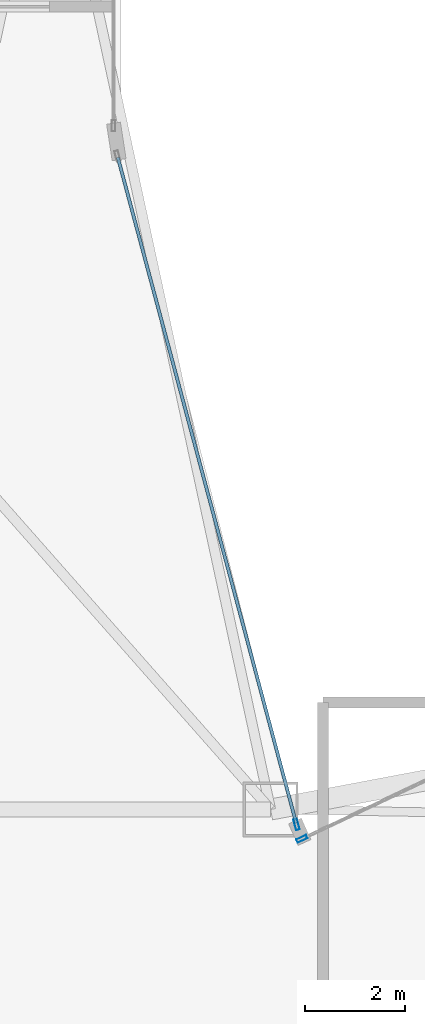
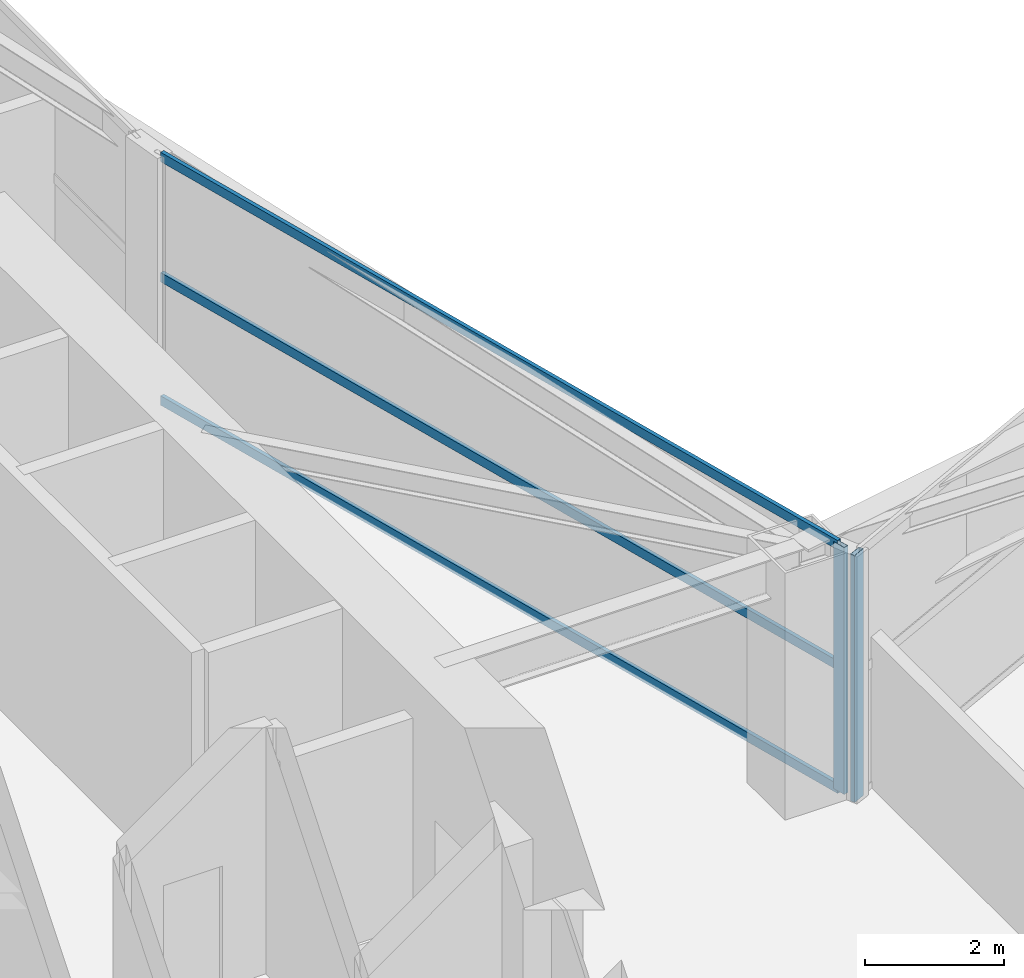
# One storey, part 3 of 18: 5 members, 2 elements without a shape of their own.
"""IFC4 building model written with IfcOpenShell, lengths in metres."""

from ifc_helpers import new_model, si_unit, direction, frame, origin, origin_2d, place, context, subcontext, project, spatial, hollow_rectangle, extrude, material, layer, layer_set, material_profile, profile_set, type_object, element, aggregate, save


model = new_model("IFC4")

# Units and contexts
model_context = context("Model", 3, precision=1e-05, world=origin(), true_north=direction((0.0, 1.0)))
body_context = subcontext(model_context, "Body", "Model", "MODEL_VIEW")
ifc_project = project(units=[si_unit("LENGTHUNIT", "METRE"), si_unit("AREAUNIT", "SQUARE_METRE"), si_unit("VOLUMEUNIT", "CUBIC_METRE"), si_unit("PLANEANGLEUNIT", "RADIAN"), si_unit("MASSUNIT", "GRAM", prefix="KILO")], contexts=[model_context])

# Site, building, storey
site_placement = place(None, origin())
site = spatial("IfcSite", under=ifc_project, at=site_placement, CompositionType="ELEMENT")
building_placement = place(site_placement, origin())
building = spatial("IfcBuilding", under=site, at=building_placement, Name="Calvorn Quay Hotel", CompositionType="ELEMENT")
storey_placement = place(building_placement, frame((0.0, 0.0, 92.60009765625)))
storey = spatial("IfcBuildingStorey", under=building, at=storey_placement, Name="L22", CompositionType="ELEMENT", Elevation=92.60009765625)

# Curtain wall, member
ifc_material_1 = material(Name="Pale Anodised Aluminium and Low-E Glass", Category="aluminium")
ifc_layer = layer(ifc_material_1, 0.219970703125)
ifc_layer_set = layer_set([ifc_layer], Name="CW-SYS-Z1")
curtain_wall_type = type_object("IfcCurtainWallType", Name="CW-SYS-Z1", PredefinedType="NOTDEFINED", material=ifc_layer_set)
curtain_wall_1_placement = place(storey_placement, origin())
curtain_wall_1 = element("IfcCurtainWall", 1, at=curtain_wall_1_placement, inside=storey, type_object=curtain_wall_type, Name="Inner Court Curtain Wall L22-NE1", PredefinedType="NOTDEFINED")
ifc_material_2 = material(Name="Pale Anodised Aluminium 6063-T6", Category="aluminium")
ifc_material_profile_1 = material_profile(ifc_material_2, hollow_rectangle(XDim=0.074951171875, YDim=0.219970703125, WallThickness=0.00439453125, at=origin_2d()), Name="ALU-M220x75x4.5")
ifc_profile_set_1 = profile_set([ifc_material_profile_1], Name="Pale Anodised Aluminium 6063-T6")
member_type_1 = type_object("IfcMemberType", Name="CW-SYS-Z1-MUL", PredefinedType="MULLION", material=ifc_profile_set_1)
member_1_placement = place(storey_placement, frame((21.627197265625, 24.412841796875, 0.0), z_axis=(0.0, 0.0, 1.0), x_axis=(0.427006305415, -0.904248646743, 0.0)))
member_1 = element("IfcMember", 2, at=member_1_placement, type_object=member_type_1, Name="CW-L22-NE1 mullion 4", PredefinedType="MULLION", context=body_context, shape_type="SweptSolid", body=[
    extrude(hollow_rectangle(XDim=0.074951171875, YDim=0.219970703125, WallThickness=0.00439453125, at=origin_2d()), origin(), (0.0, 0.0, 1.0), 4.349853515625),
])
aggregate(curtain_wall_1, [member_1])

# Curtain wall, members
curtain_wall_2_placement = place(storey_placement, origin())
curtain_wall_2 = element("IfcCurtainWall", 3, at=curtain_wall_2_placement, inside=storey, type_object=curtain_wall_type, Name="Inner Court Curtain Wall L22-IC1", PredefinedType="NOTDEFINED")
member_2_placement = place(storey_placement, frame((21.520263671875, 24.698974609375, 0.0), z_axis=(0.0, 0.0, 1.0), x_axis=(-0.96593652056, -0.25877913024, 0.0)))
member_2 = element("IfcMember", 4, at=member_2_placement, type_object=member_type_1, Name="CW-L22-IC1 mullion 1", PredefinedType="MULLION", context=body_context, shape_type="SweptSolid", body=[
    extrude(hollow_rectangle(XDim=0.074951171875, YDim=0.219970703125, WallThickness=0.00439453125, at=origin_2d()), origin(), (0.0, 0.0, 1.0), 4.349853515625),
])
ifc_material_3 = material(Name="Pale Anodised Aluminium 6063-T6", Category="aluminium")
ifc_material_profile_2 = material_profile(ifc_material_3, hollow_rectangle(XDim=0.06494140625, YDim=0.1650390625, WallThickness=0.00341796875, at=origin_2d()), Name="ALU-T165x65x3.5")
ifc_profile_set_2 = profile_set([ifc_material_profile_2], Name="Pale Anodised Aluminium 6063-T6")
member_type_2 = type_object("IfcMemberType", Name="CW-SYS-Z1-TRN", PredefinedType="USERDEFINED", material=ifc_profile_set_2)
member_3_placement = place(storey_placement, frame((21.512451171875, 24.72802734375, 0.02978515625), z_axis=(-0.258781136883, 0.965935982969, 0.0), x_axis=(-0.965935982969, -0.258781136883, 0.0)))
member_3 = element("IfcMember", 5, at=member_3_placement, type_object=member_type_2, Name="CW-L22-IC1 transom 1.1", ObjectType="TRANSOM", PredefinedType="USERDEFINED", context=body_context, shape_type="SweptSolid", body=[
    extrude(hollow_rectangle(XDim=0.06494140625, YDim=0.1650390625, WallThickness=0.00341796875, at=origin_2d()), origin(), (0.0, 0.0, 1.0), 13.814453125),
])
member_4_placement = place(storey_placement, frame((21.512451171875, 24.72802734375, 2.199951171875), z_axis=(-0.258781136883, 0.965935982969, 0.0), x_axis=(-0.965935982969, -0.258781136883, 0.0)))
member_4 = element("IfcMember", 6, at=member_4_placement, type_object=member_type_2, Name="CW-L22-IC1 transom 1.2", ObjectType="TRANSOM", PredefinedType="USERDEFINED", context=body_context, shape_type="SweptSolid", body=[
    extrude(hollow_rectangle(XDim=0.06494140625, YDim=0.1650390625, WallThickness=0.00341796875, at=origin_2d()), origin(), (0.0, 0.0, 1.0), 13.814453125),
])
member_5_placement = place(storey_placement, frame((21.512451171875, 24.72802734375, 4.31982421875), z_axis=(-0.258781136883, 0.965935982969, 0.0), x_axis=(-0.965935982969, -0.258781136883, 0.0)))
member_5 = element("IfcMember", 7, at=member_5_placement, type_object=member_type_2, Name="CW-L22-IC1 transom 1.3", ObjectType="TRANSOM", PredefinedType="USERDEFINED", context=body_context, shape_type="SweptSolid", body=[
    extrude(hollow_rectangle(XDim=0.06494140625, YDim=0.1650390625, WallThickness=0.00341796875, at=origin_2d()), origin(), (0.0, 0.0, 1.0), 13.814453125),
])
aggregate(curtain_wall_2, [member_2, member_3, member_4, member_5])

save(model, "model.ifc")
